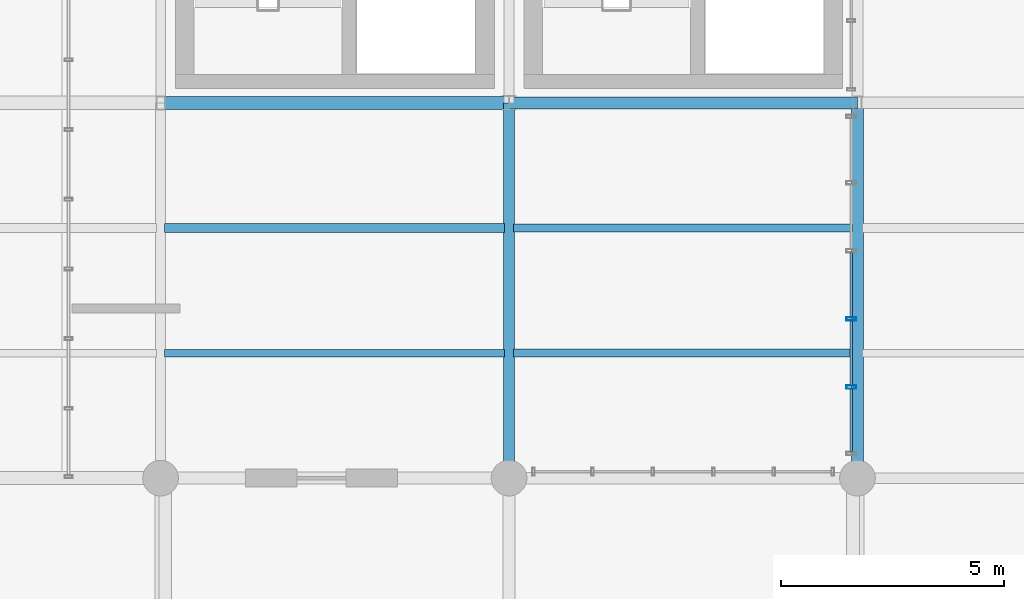
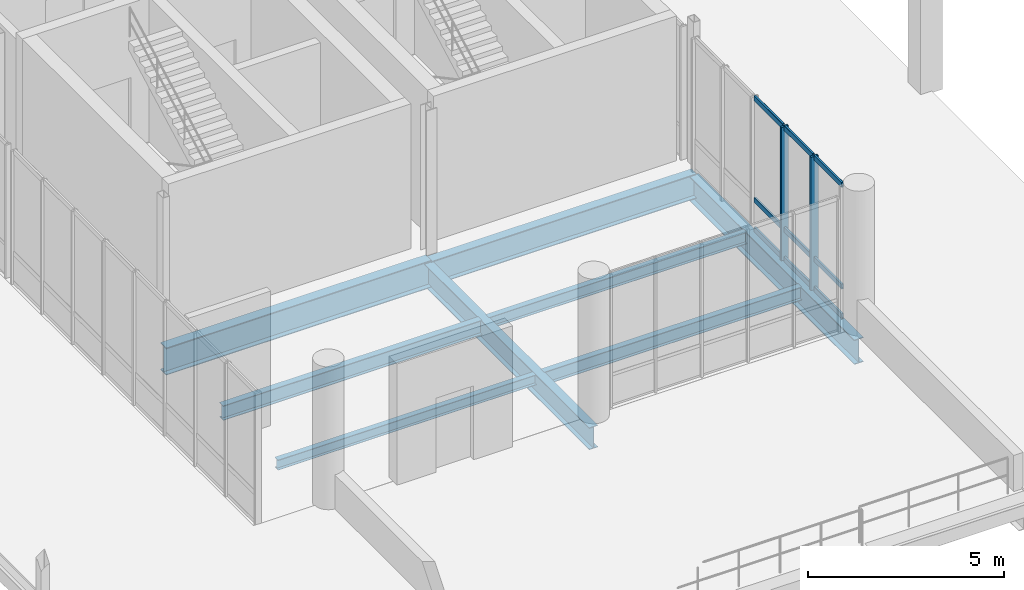
# One storey, part 40 of 68: 11 members, 8 beams, 1 element without a shape of its own.
"""IFC4 building model written with IfcOpenShell, lengths in metres."""

from ifc_helpers import new_model, si_unit, direction, frame, origin_with_axes, origin_2d_with_axis, place, context, subcontext, project, spatial, hollow_rectangle, i_section, extrude, material, material_profile, profile_set, type_object, element, aggregate, save


model = new_model("IFC4")

# Units and contexts
model_context = context("Model", 3, precision=1e-05, world=origin_with_axes(), true_north=direction((0.0, 1.0)))
body_context = subcontext(model_context, "Body", "Model", "MODEL_VIEW")
ifc_project = project(units=[si_unit("LENGTHUNIT", "METRE"), si_unit("AREAUNIT", "SQUARE_METRE"), si_unit("VOLUMEUNIT", "CUBIC_METRE"), si_unit("PLANEANGLEUNIT", "RADIAN"), si_unit("MASSUNIT", "GRAM", prefix="KILO"), si_unit("THERMODYNAMICTEMPERATUREUNIT", "KELVIN")], contexts=[model_context])

# Site, building, storey
site_placement = place(None, origin_with_axes())
site = spatial("IfcSite", under=ifc_project, at=site_placement, CompositionType="ELEMENT")
building_placement = place(site_placement, origin_with_axes())
building = spatial("IfcBuilding", under=site, at=building_placement, Name="Montbau Bow Law Courts", CompositionType="ELEMENT")
storey_placement = place(building_placement, frame((0.0, 0.0, 20.4), z_axis=(0.0, 0.0, 1.0), x_axis=(1.0, 0.0, 0.0)))
storey = spatial("IfcBuildingStorey", under=building, at=storey_placement, Name="L04", CompositionType="ELEMENT", Elevation=20.4)

# Beams
ifc_material_1 = material(Name="Steel CSA G40.21 Grade 350W (350 MPa)", Category="steel")
ifc_material_profile_1 = material_profile(ifc_material_1, i_section(OverallWidth=0.293, OverallDepth=0.846, WebThickness=0.0154, FlangeThickness=0.0244, at=origin_2d_with_axis()), Name="W840X210", Category="Main", Priority=0)
ifc_profile_set_1 = profile_set([ifc_material_profile_1], Name="Steel CSA G40.21 Grade 350W (350 MPa)")
beam_type_1 = type_object("IfcBeamType", Name="B-FLR-02", PredefinedType="BEAM", material=ifc_profile_set_1)
beam_1_placement = place(None, frame((147.0, 86.4, 19.777), z_axis=(1.0, 0.0, 0.0), x_axis=(0.0, 1.0, 0.0)))
element("IfcBeam", 1, at=beam_1_placement, inside=storey, type_object=beam_type_1, Name="BM-L04-S1254:bm2_1257", PredefinedType="BEAM", context=body_context, shape_type="SweptSolid", body=[
    extrude(i_section(OverallWidth=0.293, OverallDepth=0.846, WebThickness=0.0154, FlangeThickness=0.0244, at=origin_2d_with_axis()), origin_with_axes(), (0.0, 0.0, 1.0), 7.8),
])
ifc_material_profile_2 = material_profile(ifc_material_1, i_section(OverallWidth=0.267, OverallDepth=0.766, WebThickness=0.0149, FlangeThickness=0.0236, at=origin_2d_with_axis()), Name="W760X185", Category="Main", Priority=0)
ifc_profile_set_2 = profile_set([ifc_material_profile_2], Name="Steel CSA G40.21 Grade 350W (350 MPa)")
beam_type_2 = type_object("IfcBeamType", Name="B-FLR-03", PredefinedType="BEAM", material=ifc_profile_set_2)
beam_2_placement = place(None, frame((154.8, 86.4, 19.767), z_axis=(1.0, 0.0, 0.0), x_axis=(0.0, 1.0, 0.0)))
element("IfcBeam", 2, at=beam_2_placement, inside=storey, type_object=beam_type_2, Name="BM-L04-S1255:bm2_1258", PredefinedType="BEAM", context=body_context, shape_type="SweptSolid", body=[
    extrude(i_section(OverallWidth=0.267, OverallDepth=0.766, WebThickness=0.0149, FlangeThickness=0.0236, at=origin_2d_with_axis()), origin_with_axes(), (0.0, 0.0, 1.0), 7.8),
])
beam_3_placement = place(None, frame((162.6, 78.0, 19.657), z_axis=(0.0, 1.0, 0.0), x_axis=(-1.0, 0.0, 0.0)))
element("IfcBeam", 3, at=beam_3_placement, inside=storey, type_object=beam_type_2, Name="BM-L04-S1278:bm2_1281", PredefinedType="BEAM", context=body_context, shape_type="SweptSolid", body=[
    extrude(i_section(OverallWidth=0.267, OverallDepth=0.766, WebThickness=0.0149, FlangeThickness=0.0236, at=origin_2d_with_axis()), origin_with_axes(), (0.0, 0.0, 1.0), 8.4),
])
ifc_material_profile_3 = material_profile(ifc_material_1, i_section(OverallWidth=0.254, OverallDepth=0.688, WebThickness=0.0131, FlangeThickness=0.0211, at=origin_2d_with_axis()), Name="W690X152", Category="Main", Priority=0)
ifc_profile_set_3 = profile_set([ifc_material_profile_3], Name="Steel CSA G40.21 Grade 350W (350 MPa)")
beam_type_3 = type_object("IfcBeamType", Name="B-FLR-04", PredefinedType="BEAM", material=ifc_profile_set_3)
beam_4_placement = place(None, frame((154.8, 78.0, 19.696), z_axis=(0.0, 1.0, 0.0), x_axis=(-1.0, 0.0, 0.0)))
element("IfcBeam", 4, at=beam_4_placement, inside=storey, type_object=beam_type_3, Name="BM-L04-S1274:bm2_1277", PredefinedType="BEAM", context=body_context, shape_type="SweptSolid", body=[
    extrude(i_section(OverallWidth=0.254, OverallDepth=0.688, WebThickness=0.0131, FlangeThickness=0.0211, at=origin_2d_with_axis()), origin_with_axes(), (0.0, 0.0, 1.0), 8.4),
])
ifc_material_profile_4 = material_profile(ifc_material_1, i_section(OverallWidth=0.191, OverallDepth=0.46, WebThickness=0.0099, FlangeThickness=0.016, at=origin_2d_with_axis()), Name="W460X82", Category="Main", Priority=0)
ifc_profile_set_4 = profile_set([ifc_material_profile_4], Name="Steel CSA G40.21 Grade 350W (350 MPa)")
beam_type_4 = type_object("IfcBeamType", Name="B-JST-01", PredefinedType="JOIST", material=ifc_profile_set_4)
beam_5_placement = place(None, frame((147.09, 83.6, 19.81), z_axis=(1.0, 0.0, 0.0), x_axis=(0.0, 1.0, 0.0)))
element("IfcBeam", 5, at=beam_5_placement, inside=storey, type_object=beam_type_4, Name="JST-L04-S0676:jst2_0676", PredefinedType="JOIST", context=body_context, shape_type="SweptSolid", body=[
    extrude(i_section(OverallWidth=0.191, OverallDepth=0.46, WebThickness=0.0099, FlangeThickness=0.016, at=origin_2d_with_axis()), origin_with_axes(), (0.0, 0.0, 1.0), 7.607),
])
ifc_material_profile_5 = material_profile(ifc_material_1, i_section(OverallWidth=0.179, OverallDepth=0.41, WebThickness=0.0088, FlangeThickness=0.0144, at=origin_2d_with_axis()), Name="W410X67", Category="Main", Priority=0)
ifc_profile_set_5 = profile_set([ifc_material_profile_5], Name="Steel CSA G40.21 Grade 350W (350 MPa)")
beam_type_5 = type_object("IfcBeamType", Name="B-JST-02", PredefinedType="JOIST", material=ifc_profile_set_5)
beam_6_placement = place(None, frame((154.903, 80.8, 19.835), z_axis=(1.0, 0.0, 0.0), x_axis=(0.0, 1.0, 0.0)))
element("IfcBeam", 6, at=beam_6_placement, inside=storey, type_object=beam_type_5, Name="JST-L04-S0681:jst2_0681", PredefinedType="JOIST", context=body_context, shape_type="SweptSolid", body=[
    extrude(i_section(OverallWidth=0.179, OverallDepth=0.41, WebThickness=0.0088, FlangeThickness=0.0144, at=origin_2d_with_axis()), origin_with_axes(), (0.0, 0.0, 1.0), 7.587),
])
ifc_material_profile_6 = material_profile(ifc_material_1, i_section(OverallWidth=0.172, OverallDepth=0.358, WebThickness=0.0079, FlangeThickness=0.0131, at=origin_2d_with_axis()), Name="W360X57", Category="Main", Priority=0)
ifc_profile_set_6 = profile_set([ifc_material_profile_6], Name="Steel CSA G40.21 Grade 350W (350 MPa)")
beam_type_6 = type_object("IfcBeamType", Name="B-JST-03", PredefinedType="JOIST", material=ifc_profile_set_6)
beam_7_placement = place(None, frame((154.903, 83.6, 19.861), z_axis=(1.0, 0.0, 0.0), x_axis=(0.0, 1.0, 0.0)))
element("IfcBeam", 7, at=beam_7_placement, inside=storey, type_object=beam_type_6, Name="JST-L04-S0682:jst2_0682", PredefinedType="JOIST", context=body_context, shape_type="SweptSolid", body=[
    extrude(i_section(OverallWidth=0.172, OverallDepth=0.358, WebThickness=0.0079, FlangeThickness=0.0131, at=origin_2d_with_axis()), origin_with_axes(), (0.0, 0.0, 1.0), 7.587),
])
ifc_material_profile_7 = material_profile(ifc_material_1, i_section(OverallWidth=0.166, OverallDepth=0.313, WebThickness=0.0066, FlangeThickness=0.0112, at=origin_2d_with_axis()), Name="W310X45", Category="Main", Priority=0)
ifc_profile_set_7 = profile_set([ifc_material_profile_7], Name="Steel CSA G40.21 Grade 350W (350 MPa)")
beam_type_7 = type_object("IfcBeamType", Name="B-JST-04", PredefinedType="JOIST", material=ifc_profile_set_7)
beam_8_placement = place(None, frame((147.09, 80.8, 19.883), z_axis=(1.0, 0.0, 0.0), x_axis=(0.0, 1.0, 0.0)))
element("IfcBeam", 8, at=beam_8_placement, inside=storey, type_object=beam_type_7, Name="JST-L04-S0675:jst2_0675", PredefinedType="JOIST", context=body_context, shape_type="SweptSolid", body=[
    extrude(i_section(OverallWidth=0.166, OverallDepth=0.313, WebThickness=0.0066, FlangeThickness=0.0112, at=origin_2d_with_axis()), origin_with_axes(), (0.0, 0.0, 1.0), 7.607),
])

# Curtain wall, members
ifc_material_2 = material(Name="Thermally Broken Extruded Aluminium AA 6063-T6", Category="aluminium")
curtain_wall_type = type_object("IfcCurtainWallType", Name="CW-NCK-01", PredefinedType="NOTDEFINED", material=ifc_material_2)
curtain_wall_placement = place(None, frame((162.46, 78.515, 20.4), z_axis=(0.0, 0.0, 1.0), x_axis=(1.0, 0.0, 0.0)))
curtain_wall = element("IfcCurtainWall", 9, at=curtain_wall_placement, inside=storey, type_object=curtain_wall_type, Name="CW-L04-330:cw_0330", PredefinedType="NOTDEFINED")
ifc_material_profile_8 = material_profile(ifc_material_2, hollow_rectangle(XDim=0.075, YDim=0.22, WallThickness=0.005, InnerFilletRadius=0.01, OuterFilletRadius=0.005, at=origin_2d_with_axis()), Name="CWM-220X75", Category="Main", Priority=0)
ifc_profile_set_8 = profile_set([ifc_material_profile_8], Name="Thermally Broken Extruded Aluminium AA 6063-T6")
member_type_1 = type_object("IfcMemberType", Name="M-MUL-01", PredefinedType="MULLION", material=ifc_profile_set_8)
member_1_placement = place(None, frame((162.46, 80.039, 20.4), z_axis=(0.0, 0.0, 1.0), x_axis=(0.0, 1.0, 0.0)))
member_1 = element("IfcMember", 10, at=member_1_placement, type_object=member_type_1, Name="CW-L04-330-M02:cw_0330_M02", PredefinedType="MULLION", context=body_context, shape_type="SweptSolid", body=[
    extrude(hollow_rectangle(XDim=0.075, YDim=0.22, WallThickness=0.005, InnerFilletRadius=0.01, OuterFilletRadius=0.005, at=origin_2d_with_axis()), origin_with_axes(), (0.0, 0.0, 1.0), 4.14),
])
member_2_placement = place(None, frame((162.46, 81.562, 20.4), z_axis=(0.0, 0.0, 1.0), x_axis=(0.0, 1.0, 0.0)))
member_2 = element("IfcMember", 11, at=member_2_placement, type_object=member_type_1, Name="CW-L04-330-M03:cw_0330_M03", PredefinedType="MULLION", context=body_context, shape_type="SweptSolid", body=[
    extrude(hollow_rectangle(XDim=0.075, YDim=0.22, WallThickness=0.005, InnerFilletRadius=0.01, OuterFilletRadius=0.005, at=origin_2d_with_axis()), origin_with_axes(), (0.0, 0.0, 1.0), 4.14),
])
ifc_material_profile_9 = material_profile(ifc_material_2, hollow_rectangle(XDim=0.06, YDim=0.16, WallThickness=0.004, InnerFilletRadius=0.008, OuterFilletRadius=0.004, at=origin_2d_with_axis()), Name="CWT-160X60", Category="Main", Priority=0)
ifc_profile_set_9 = profile_set([ifc_material_profile_9], Name="Thermally Broken Extruded Aluminium AA 6063-T6")
member_type_2 = type_object("IfcMemberType", Name="M-TRN-01", PredefinedType="USERDEFINED", material=ifc_profile_set_9)
member_3_placement = place(None, frame((162.46, 78.591, 20.43), z_axis=(0.0, 1.0, 0.0), x_axis=(-1.0, 0.0, 0.0)))
member_3 = element("IfcMember", 12, at=member_3_placement, type_object=member_type_2, Name="CW-L04-330-T01-1:cw_0330_T01_1", ObjectType="TRANSOM", PredefinedType="USERDEFINED", context=body_context, shape_type="SweptSolid", body=[
    extrude(hollow_rectangle(XDim=0.06, YDim=0.16, WallThickness=0.004, InnerFilletRadius=0.008, OuterFilletRadius=0.004, at=origin_2d_with_axis()), origin_with_axes(), (0.0, 0.0, 1.0), 1.408),
])
member_4_placement = place(None, frame((162.46, 78.591, 21.35), z_axis=(0.0, 1.0, 0.0), x_axis=(-1.0, 0.0, 0.0)))
member_4 = element("IfcMember", 13, at=member_4_placement, type_object=member_type_2, Name="CW-L04-330-T01-2:cw_0330_T01_2", ObjectType="TRANSOM", PredefinedType="USERDEFINED", context=body_context, shape_type="SweptSolid", body=[
    extrude(hollow_rectangle(XDim=0.06, YDim=0.16, WallThickness=0.004, InnerFilletRadius=0.008, OuterFilletRadius=0.004, at=origin_2d_with_axis()), origin_with_axes(), (0.0, 0.0, 1.0), 1.408),
])
member_5_placement = place(None, frame((162.46, 78.591, 24.51), z_axis=(0.0, 1.0, 0.0), x_axis=(-1.0, 0.0, 0.0)))
member_5 = element("IfcMember", 14, at=member_5_placement, type_object=member_type_2, Name="CW-L04-330-T01-3:cw_0330_T01_3", ObjectType="TRANSOM", PredefinedType="USERDEFINED", context=body_context, shape_type="SweptSolid", body=[
    extrude(hollow_rectangle(XDim=0.06, YDim=0.16, WallThickness=0.004, InnerFilletRadius=0.008, OuterFilletRadius=0.004, at=origin_2d_with_axis()), origin_with_axes(), (0.0, 0.0, 1.0), 1.408),
])
member_6_placement = place(None, frame((162.46, 80.079, 20.43), z_axis=(0.0, 1.0, 0.0), x_axis=(-1.0, 0.0, 0.0)))
member_6 = element("IfcMember", 15, at=member_6_placement, type_object=member_type_2, Name="CW-L04-330-T02-1:cw_0330_T02_1", ObjectType="TRANSOM", PredefinedType="USERDEFINED", context=body_context, shape_type="SweptSolid", body=[
    extrude(hollow_rectangle(XDim=0.06, YDim=0.16, WallThickness=0.004, InnerFilletRadius=0.008, OuterFilletRadius=0.004, at=origin_2d_with_axis()), origin_with_axes(), (0.0, 0.0, 1.0), 1.444),
])
member_7_placement = place(None, frame((162.46, 80.079, 21.35), z_axis=(0.0, 1.0, 0.0), x_axis=(-1.0, 0.0, 0.0)))
member_7 = element("IfcMember", 16, at=member_7_placement, type_object=member_type_2, Name="CW-L04-330-T02-2:cw_0330_T02_2", ObjectType="TRANSOM", PredefinedType="USERDEFINED", context=body_context, shape_type="SweptSolid", body=[
    extrude(hollow_rectangle(XDim=0.06, YDim=0.16, WallThickness=0.004, InnerFilletRadius=0.008, OuterFilletRadius=0.004, at=origin_2d_with_axis()), origin_with_axes(), (0.0, 0.0, 1.0), 1.444),
])
member_8_placement = place(None, frame((162.46, 80.079, 24.51), z_axis=(0.0, 1.0, 0.0), x_axis=(-1.0, 0.0, 0.0)))
member_8 = element("IfcMember", 17, at=member_8_placement, type_object=member_type_2, Name="CW-L04-330-T02-3:cw_0330_T02_3", ObjectType="TRANSOM", PredefinedType="USERDEFINED", context=body_context, shape_type="SweptSolid", body=[
    extrude(hollow_rectangle(XDim=0.06, YDim=0.16, WallThickness=0.004, InnerFilletRadius=0.008, OuterFilletRadius=0.004, at=origin_2d_with_axis()), origin_with_axes(), (0.0, 0.0, 1.0), 1.444),
])
member_9_placement = place(None, frame((162.46, 81.602, 20.43), z_axis=(0.0, 1.0, 0.0), x_axis=(-1.0, 0.0, 0.0)))
member_9 = element("IfcMember", 18, at=member_9_placement, type_object=member_type_2, Name="CW-L04-330-T03-1:cw_0330_T03_1", ObjectType="TRANSOM", PredefinedType="USERDEFINED", context=body_context, shape_type="SweptSolid", body=[
    extrude(hollow_rectangle(XDim=0.06, YDim=0.16, WallThickness=0.004, InnerFilletRadius=0.008, OuterFilletRadius=0.004, at=origin_2d_with_axis()), origin_with_axes(), (0.0, 0.0, 1.0), 1.445),
])
member_10_placement = place(None, frame((162.46, 81.602, 21.35), z_axis=(0.0, 1.0, 0.0), x_axis=(-1.0, 0.0, 0.0)))
member_10 = element("IfcMember", 19, at=member_10_placement, type_object=member_type_2, Name="CW-L04-330-T03-2:cw_0330_T03_2", ObjectType="TRANSOM", PredefinedType="USERDEFINED", context=body_context, shape_type="SweptSolid", body=[
    extrude(hollow_rectangle(XDim=0.06, YDim=0.16, WallThickness=0.004, InnerFilletRadius=0.008, OuterFilletRadius=0.004, at=origin_2d_with_axis()), origin_with_axes(), (0.0, 0.0, 1.0), 1.445),
])
member_11_placement = place(None, frame((162.46, 81.602, 24.51), z_axis=(0.0, 1.0, 0.0), x_axis=(-1.0, 0.0, 0.0)))
member_11 = element("IfcMember", 20, at=member_11_placement, type_object=member_type_2, Name="CW-L04-330-T03-3:cw_0330_T03_3", ObjectType="TRANSOM", PredefinedType="USERDEFINED", context=body_context, shape_type="SweptSolid", body=[
    extrude(hollow_rectangle(XDim=0.06, YDim=0.16, WallThickness=0.004, InnerFilletRadius=0.008, OuterFilletRadius=0.004, at=origin_2d_with_axis()), origin_with_axes(), (0.0, 0.0, 1.0), 1.445),
])
aggregate(curtain_wall, [member_1, member_2, member_3, member_4, member_5, member_6, member_7, member_8, member_9, member_10, member_11])

save(model, "model.ifc")
